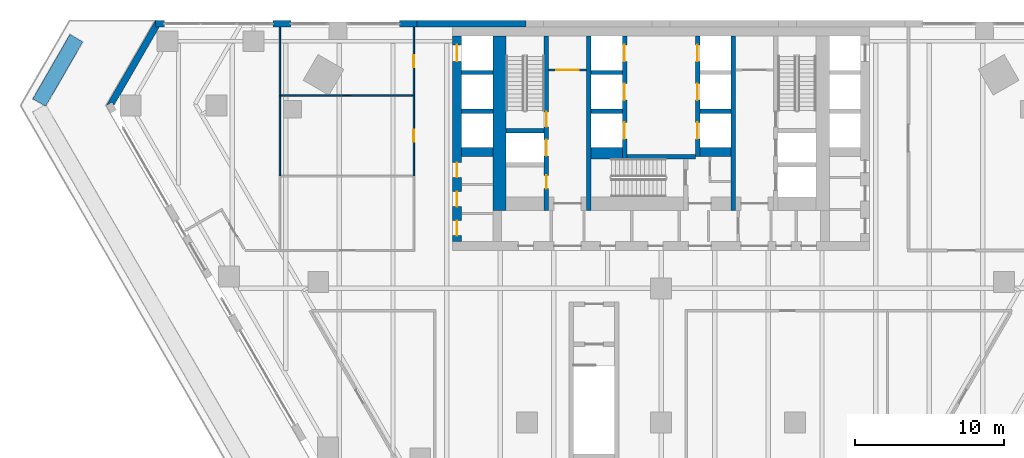
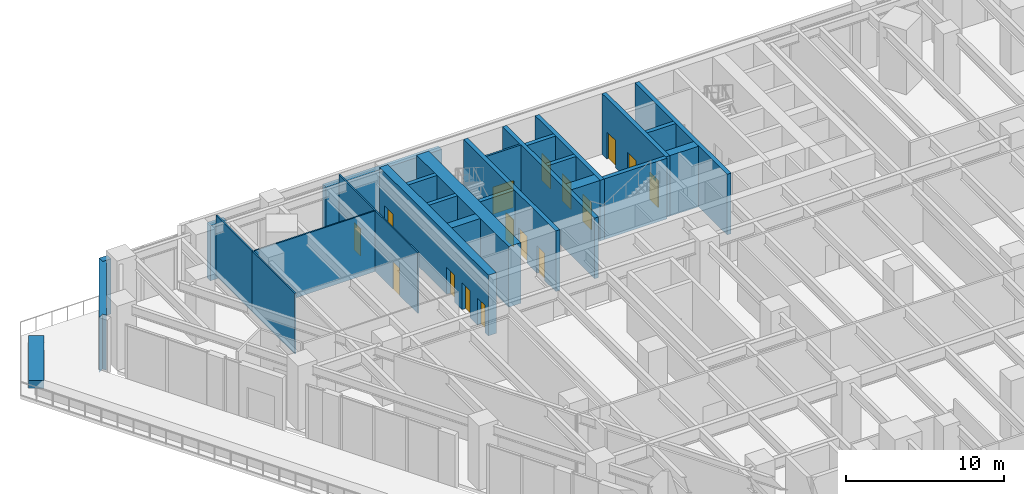
# One storey, part 25 of 31: 29 walls, 16 doors, 16 openings.
"""IFC4 building model written with IfcOpenShell, lengths in metres."""

from ifc_helpers import new_model, si_unit, direction, frame, frame_2d, origin, place, context, subcontext, project, spatial, polyline, rectangle, outline, extrude, material, layer, layer_set, type_object, element, fill, save


model = new_model("IFC4")

# Units and contexts
model_context = context("Model", 3, precision=1e-05, world=origin(), true_north=direction((0.0, 1.0)))
body_context = subcontext(model_context, "Body", "Model", "MODEL_VIEW")
ifc_project = project(units=[si_unit("LENGTHUNIT", "METRE"), si_unit("AREAUNIT", "SQUARE_METRE"), si_unit("VOLUMEUNIT", "CUBIC_METRE"), si_unit("PLANEANGLEUNIT", "RADIAN"), si_unit("MASSUNIT", "GRAM", prefix="KILO")], contexts=[model_context])

# Site, building, storey
site_placement = place(None, origin())
site = spatial("IfcSite", under=ifc_project, at=site_placement, CompositionType="ELEMENT")
building_placement = place(site_placement, origin())
building = spatial("IfcBuilding", under=site, at=building_placement, Name="Aloe Facet Convention Tower", CompositionType="ELEMENT")
storey_placement = place(building_placement, frame((0.0, 0.0, 25.0)))
storey = spatial("IfcBuildingStorey", under=building, at=storey_placement, Name="L04", CompositionType="ELEMENT", Elevation=25.0)

# Wall, opening, door
ifc_material_1 = material(Name="Concrete blockwork partition", Category="masonry")
ifc_layer_1 = layer(ifc_material_1, 0.14990234375)
ifc_layer_set_1 = layer_set([ifc_layer_1], Name="CR-W-PART150")
wall_type_1 = type_object("IfcWallType", Name="CR-W-PART150", PredefinedType="PARTITIONING", material=ifc_layer_set_1)
wall_1_placement = place(storey_placement, frame((72.449951171875, 131.675048828125, 0.0), z_axis=(0.0, 0.0, 1.0), x_axis=(1.0, 0.0, 0.0)))
wall_1 = element("IfcWall", 1, at=wall_1_placement, inside=storey, type_object=wall_type_1, Name="Core partition L04-015", PredefinedType="PARTITIONING", context=body_context, shape_type="SweptSolid", body=[
    extrude(rectangle(XDim=2.550048828125, YDim=0.14990234375, at=frame_2d((1.27490234375, 0.0))), origin(), (0.0, 0.0, 1.0), 4.699951171875),
])
opening_1_placement = place(wall_1_placement, frame((0.52490234375, 0.0, 0.0)))
opening_1 = element("IfcOpeningElement", 2, at=opening_1_placement, cuts=wall_1, Name="Opening L04-CD22", PredefinedType="OPENING", context=body_context, shape_type="SweptSolid", body=[
    extrude(rectangle(XDim=1.5, YDim=2.10009765625, at=frame_2d((0.75, 1.050048828125))), frame((0.0, 0.0849609375, 0.0), z_axis=(0.0, -1.0, 0.0), x_axis=(1.0, 0.0, 0.0)), (0.0, 0.0, 1.0), 0.169921875),
])
ifc_material_2 = material(Name="Steel fire-resisting door set FD60", Category="steel")
door_type_1 = type_object("IfcDoorType", Name="CR-D-REFUGE-1500-FD60-DD", OperationType="DOUBLE_DOOR_DOUBLE_SWING", PredefinedType="DOOR", material=ifc_material_2)
door_1_placement = place(opening_1_placement, origin())
door_1 = element("IfcDoor", 3, at=door_1_placement, inside=storey, type_object=door_type_1, Name="Core door L04-CD22", OperationType="DOUBLE_DOOR_DOUBLE_SWING", OverallHeight=2.10009765625, OverallWidth=1.5, PredefinedType="DOOR", context=body_context, shape_type="SweptSolid", body=[
    extrude(rectangle(XDim=1.5, YDim=2.10009765625, at=frame_2d((0.75, 1.050048828125))), frame((0.0, 0.02490234375, 0.0), z_axis=(0.0, -1.0, 0.0), x_axis=(1.0, 0.0, 0.0)), (0.0, 0.0, 1.0), 0.050048828125),
])
fill(opening_1, door_1)

# Walls
ifc_material_3 = material(Name="Concrete C80/95", Category="concrete")
ifc_layer_2 = layer(ifc_material_3, 0.300048828125)
ifc_layer_set_2 = layer_set([ifc_layer_2], Name="CR-W-RC300-C8095")
wall_type_2 = type_object("IfcWallType", Name="CR-W-RC300-C8095", PredefinedType="SOLIDWALL", material=ifc_layer_set_2)
for number, where, z_axis, x_axis, name in (
    (4, (66.60009765625, 131.5, 0.0), (0.0, 0.0, 1.0), (1.0, 0.0, 0.0), "Core wall L04-004"),
    (5, (66.60009765625, 128.89990234375, 0.0), (0.0, 0.0, 1.0), (1.0, 0.0, 0.0), "Core wall L04-005"),
):
    element("IfcWall", number, at=place(storey_placement, frame(where, z_axis=z_axis, x_axis=x_axis)), inside=storey, type_object=wall_type_2, Name=name, PredefinedType="SOLIDWALL", context=body_context, shape_type="SweptSolid", body=[
        extrude(rectangle(XDim=2.099853515625, YDim=0.300048828125, at=frame_2d((1.0498046875, 0.0))), origin(), (0.0, 0.0, 1.0), 4.699951171875),
    ])
wall_2_placement = place(storey_placement, frame((69.60009765625, 127.60009765625, 0.0), z_axis=(0.0, 0.0, 1.0), x_axis=(1.0, 0.0, 0.0)))
element("IfcWall", 6, at=wall_2_placement, inside=storey, type_object=wall_type_2, Name="Core wall L04-011", PredefinedType="SOLIDWALL", context=body_context, shape_type="SweptSolid", body=[
    extrude(rectangle(XDim=2.5498046875, YDim=0.300048828125, at=frame_2d((1.27490234375, 0.0))), origin(), (0.0, 0.0, 1.0), 4.699951171875),
])

# Wall, openings, doors
wall_3_placement = place(storey_placement, frame((72.300048828125, 133.949951171875, 0.0), z_axis=(0.0, 0.0, 1.0), x_axis=(0.0, -1.0, 0.0)))
wall_3 = element("IfcWall", 7, at=wall_3_placement, inside=storey, type_object=wall_type_2, Name="Core wall L04-014", PredefinedType="SOLIDWALL", context=body_context, shape_type="SweptSolid", body=[
    extrude(rectangle(XDim=11.699951171875, YDim=0.300048828125, at=frame_2d((5.85009765625, 0.0))), origin(), (0.0, 0.0, 1.0), 4.699951171875),
])
opening_2_placement = place(wall_3_placement, frame((6.949951171875, 0.0, 0.0)))
opening_2 = element("IfcOpeningElement", 8, at=opening_2_placement, cuts=wall_3, Name="Opening LD-FF1-L04", PredefinedType="OPENING", context=body_context, shape_type="SweptSolid", body=[
    extrude(rectangle(XDim=1.10009765625, YDim=2.10009765625, at=frame_2d((0.550048828125, 1.050048828125))), frame((0.0, 0.16015625, 0.0), z_axis=(0.0, -1.0, 0.0), x_axis=(1.0, 0.0, 0.0)), (0.0, 0.0, 1.0), 0.320068359375),
])
opening_3_placement = place(wall_3_placement, frame((9.35009765625, 0.0, 0.0)))
opening_3 = element("IfcOpeningElement", 9, at=opening_3_placement, cuts=wall_3, Name="Opening L04-CD23", PredefinedType="OPENING", context=body_context, shape_type="SweptSolid", body=[
    extrude(rectangle(XDim=0.89990234375, YDim=2.10009765625, at=frame_2d((0.449951171875, 1.050048828125))), frame((0.0, 0.16015625, 0.0), z_axis=(0.0, -1.0, 0.0), x_axis=(1.0, 0.0, 0.0)), (0.0, 0.0, 1.0), 0.320068359375),
])
opening_4_placement = place(wall_3_placement, frame((5.10009765625, 0.0, 0.0)))
opening_4 = element("IfcOpeningElement", 10, at=opening_4_placement, cuts=wall_3, Name="Opening L04-CD30", PredefinedType="OPENING", context=body_context, shape_type="SweptSolid", body=[
    extrude(rectangle(XDim=1.0, YDim=2.10009765625, at=frame_2d((0.5, 1.050048828125))), frame((0.0, 0.16015625, 0.0), z_axis=(0.0, -1.0, 0.0), x_axis=(1.0, 0.0, 0.0)), (0.0, 0.0, 1.0), 0.320068359375),
])
ifc_material_4 = material(Name="Steel fire-resisting door set FD60", Category="steel")
door_type_2 = type_object("IfcDoorType", Name="CR-D-ROOM-900-FD60-SLEFT", OperationType="SINGLE_SWING_LEFT", PredefinedType="DOOR", material=ifc_material_4)
door_2_placement = place(opening_3_placement, origin())
door_2 = element("IfcDoor", 11, at=door_2_placement, inside=storey, type_object=door_type_2, Name="Core door L04-CD23", OperationType="SINGLE_SWING_LEFT", OverallHeight=2.10009765625, OverallWidth=0.89990234375, PredefinedType="DOOR", context=body_context, shape_type="SweptSolid", body=[
    extrude(rectangle(XDim=0.89990234375, YDim=2.10009765625, at=frame_2d((0.449951171875, 1.050048828125))), frame((0.0, 0.02490234375, 0.0), z_axis=(0.0, -1.0, 0.0), x_axis=(1.0, 0.0, 0.0)), (0.0, 0.0, 1.0), 0.050048828125),
])
fill(opening_3, door_2)
ifc_material_5 = material(Name="Steel fire-resisting door set FD120", Category="steel")
door_type_3 = type_object("IfcDoorType", Name="CR-D-STAIR-1000-FD120-SRIGHT", OperationType="SINGLE_SWING_RIGHT", PredefinedType="DOOR", material=ifc_material_5)
door_3_placement = place(opening_4_placement, origin())
door_3 = element("IfcDoor", 12, at=door_3_placement, inside=storey, type_object=door_type_3, Name="Core door L04-CD30", OperationType="SINGLE_SWING_RIGHT", OverallHeight=2.10009765625, OverallWidth=1.0, PredefinedType="DOOR", context=body_context, shape_type="SweptSolid", body=[
    extrude(rectangle(XDim=1.0, YDim=2.10009765625, at=frame_2d((0.5, 1.050048828125))), frame((0.0, 0.02490234375, 0.0), z_axis=(0.0, -1.0, 0.0), x_axis=(1.0, 0.0, 0.0)), (0.0, 0.0, 1.0), 0.050048828125),
])
fill(opening_4, door_3)
ifc_material_6 = material(Name="Stainless steel sliding landing door", Category="steel")
door_type_4 = type_object("IfcDoorType", Name="CR-LD-1100-FD120-_LEFT", OperationType="SLIDING_TO_LEFT", PredefinedType="DOOR", material=ifc_material_6)
door_4_placement = place(opening_2_placement, origin())
door_4 = element("IfcDoor", 13, at=door_4_placement, inside=storey, type_object=door_type_4, Name="Landing door FF1 L04", OperationType="SLIDING_TO_LEFT", OverallHeight=2.10009765625, OverallWidth=1.10009765625, PredefinedType="DOOR", context=body_context, shape_type="SweptSolid", body=[
    extrude(rectangle(XDim=1.10009765625, YDim=2.10009765625, at=frame_2d((0.550048828125, 1.050048828125))), frame((0.0, 0.02490234375, 0.0), z_axis=(0.0, -1.0, 0.0), x_axis=(1.0, 0.0, 0.0)), (0.0, 0.0, 1.0), 0.050048828125),
])
fill(opening_2, door_4)

# Walls
wall_4_placement = place(storey_placement, frame((75.14990234375, 133.949951171875, 0.0), z_axis=(0.0, 0.0, 1.0), x_axis=(0.0, -1.0, 0.0)))
element("IfcWall", 14, at=wall_4_placement, inside=storey, type_object=wall_type_2, Name="Core wall L04-019", PredefinedType="SOLIDWALL", context=body_context, shape_type="SweptSolid", body=[
    extrude(rectangle(XDim=11.699951171875, YDim=0.300048828125, at=frame_2d((5.85009765625, 0.0))), origin(), (0.0, 0.0, 1.0), 4.699951171875),
])
for number, where, z_axis, x_axis, name in (
    (15, (75.300048828125, 131.5, 0.0), (0.0, 0.0, 1.0), (1.0, 0.0, 0.0), "Core wall L04-020"),
    (16, (75.300048828125, 128.89990234375, 0.0), (0.0, 0.0, 1.0), (1.0, 0.0, 0.0), "Core wall L04-021"),
):
    element("IfcWall", number, at=place(storey_placement, frame(where, z_axis=z_axis, x_axis=x_axis)), inside=storey, type_object=wall_type_2, Name=name, PredefinedType="SOLIDWALL", context=body_context, shape_type="SweptSolid", body=[
        extrude(rectangle(XDim=2.099853515625, YDim=0.300048828125, at=frame_2d((1.0498046875, 0.0))), origin(), (0.0, 0.0, 1.0), 4.699951171875),
    ])

# Wall, openings, doors
wall_5_placement = place(storey_placement, frame((77.550048828125, 133.949951171875, 0.0), z_axis=(0.0, 0.0, 1.0), x_axis=(0.0, -1.0, 0.0)))
wall_5 = element("IfcWall", 17, at=wall_5_placement, inside=storey, type_object=wall_type_2, Name="Core wall L04-024", PredefinedType="SOLIDWALL", context=body_context, shape_type="SweptSolid", body=[
    extrude(rectangle(XDim=8.25, YDim=0.300048828125, at=frame_2d((4.125, 0.0))), origin(), (0.0, 0.0, 1.0), 4.699951171875),
])
opening_5_placement = place(wall_5_placement, frame((0.60009765625, 0.0, 0.0)))
opening_5 = element("IfcOpeningElement", 18, at=opening_5_placement, cuts=wall_5, Name="Opening LD-A1-L04", PredefinedType="OPENING", context=body_context, shape_type="SweptSolid", body=[
    extrude(rectangle(XDim=1.10009765625, YDim=2.10009765625, at=frame_2d((0.550048828125, 1.050048828125))), frame((0.0, 0.16015625, 0.0), z_axis=(0.0, -1.0, 0.0), x_axis=(1.0, 0.0, 0.0)), (0.0, 0.0, 1.0), 0.320068359375),
])
opening_6_placement = place(wall_5_placement, frame((3.199951171875, 0.0, 0.0)))
opening_6 = element("IfcOpeningElement", 19, at=opening_6_placement, cuts=wall_5, Name="Opening LD-A2-L04", PredefinedType="OPENING", context=body_context, shape_type="SweptSolid", body=[
    extrude(rectangle(XDim=1.10009765625, YDim=2.10009765625, at=frame_2d((0.550048828125, 1.050048828125))), frame((0.0, 0.16015625, 0.0), z_axis=(0.0, -1.0, 0.0), x_axis=(1.0, 0.0, 0.0)), (0.0, 0.0, 1.0), 0.320068359375),
])
opening_7_placement = place(wall_5_placement, frame((5.800048828125, 0.0, 0.0)))
opening_7 = element("IfcOpeningElement", 20, at=opening_7_placement, cuts=wall_5, Name="Opening LD-A3-L04", PredefinedType="OPENING", context=body_context, shape_type="SweptSolid", body=[
    extrude(rectangle(XDim=1.10009765625, YDim=2.10009765625, at=frame_2d((0.550048828125, 1.050048828125))), frame((0.0, 0.16015625, 0.0), z_axis=(0.0, -1.0, 0.0), x_axis=(1.0, 0.0, 0.0)), (0.0, 0.0, 1.0), 0.320068359375),
])
ifc_material_7 = material(Name="Stainless steel sliding landing door", Category="steel")
door_type_5 = type_object("IfcDoorType", Name="CR-LD-1100-FD60-RIGHT", OperationType="SLIDING_TO_RIGHT", PredefinedType="DOOR", material=ifc_material_7)
door_5_placement = place(opening_5_placement, origin())
door_5 = element("IfcDoor", 21, at=door_5_placement, inside=storey, type_object=door_type_5, Name="Landing door A1 L04", OperationType="SLIDING_TO_RIGHT", OverallHeight=2.10009765625, OverallWidth=1.10009765625, PredefinedType="DOOR", context=body_context, shape_type="SweptSolid", body=[
    extrude(rectangle(XDim=1.10009765625, YDim=2.10009765625, at=frame_2d((0.550048828125, 1.050048828125))), frame((0.0, 0.02490234375, 0.0), z_axis=(0.0, -1.0, 0.0), x_axis=(1.0, 0.0, 0.0)), (0.0, 0.0, 1.0), 0.050048828125),
])
fill(opening_5, door_5)
door_6_placement = place(opening_6_placement, origin())
door_6 = element("IfcDoor", 22, at=door_6_placement, inside=storey, type_object=door_type_5, Name="Landing door A2 L04", OperationType="SLIDING_TO_RIGHT", OverallHeight=2.10009765625, OverallWidth=1.10009765625, PredefinedType="DOOR", context=body_context, shape_type="SweptSolid", body=[
    extrude(rectangle(XDim=1.10009765625, YDim=2.10009765625, at=frame_2d((0.550048828125, 1.050048828125))), frame((0.0, 0.02490234375, 0.0), z_axis=(0.0, -1.0, 0.0), x_axis=(1.0, 0.0, 0.0)), (0.0, 0.0, 1.0), 0.050048828125),
])
fill(opening_6, door_6)
door_7_placement = place(opening_7_placement, origin())
door_7 = element("IfcDoor", 23, at=door_7_placement, inside=storey, type_object=door_type_5, Name="Landing door A3 L04", OperationType="SLIDING_TO_RIGHT", OverallHeight=2.10009765625, OverallWidth=1.10009765625, PredefinedType="DOOR", context=body_context, shape_type="SweptSolid", body=[
    extrude(rectangle(XDim=1.10009765625, YDim=2.10009765625, at=frame_2d((0.550048828125, 1.050048828125))), frame((0.0, 0.02490234375, 0.0), z_axis=(0.0, -1.0, 0.0), x_axis=(1.0, 0.0, 0.0)), (0.0, 0.0, 1.0), 0.050048828125),
])
fill(opening_7, door_7)

# Wall
wall_6_placement = place(storey_placement, frame((77.699951171875, 125.85009765625, 0.0), z_axis=(0.0, 0.0, 1.0), x_axis=(1.0, 0.0, 0.0)))
element("IfcWall", 24, at=wall_6_placement, inside=storey, type_object=wall_type_2, Name="Core wall L04-025", PredefinedType="SOLIDWALL", context=body_context, shape_type="SweptSolid", body=[
    extrude(rectangle(XDim=4.60009765625, YDim=0.300048828125, at=frame_2d((2.300048828125, 0.0))), origin(), (0.0, 0.0, 1.0), 4.699951171875),
])

# Wall, openings, doors
wall_7_placement = place(storey_placement, frame((82.449951171875, 133.949951171875, 0.0), z_axis=(0.0, 0.0, 1.0), x_axis=(0.0, -1.0, 0.0)))
wall_7 = element("IfcWall", 25, at=wall_7_placement, inside=storey, type_object=wall_type_2, Name="Core wall L04-030", PredefinedType="SOLIDWALL", context=body_context, shape_type="SweptSolid", body=[
    extrude(rectangle(XDim=8.099853515625, YDim=0.300048828125, at=frame_2d((4.0498046875, 0.0))), origin(), (0.0, 0.0, 1.0), 4.699951171875),
])
opening_8_placement = place(wall_7_placement, frame((0.60009765625, 0.0, 0.0)))
opening_8 = element("IfcOpeningElement", 26, at=opening_8_placement, cuts=wall_7, Name="Opening LD-A4-L04", PredefinedType="OPENING", context=body_context, shape_type="SweptSolid", body=[
    extrude(rectangle(XDim=1.10009765625, YDim=2.10009765625, at=frame_2d((0.550048828125, 1.050048828125))), frame((0.0, 0.16015625, 0.0), z_axis=(0.0, -1.0, 0.0), x_axis=(1.0, 0.0, 0.0)), (0.0, 0.0, 1.0), 0.320068359375),
])
opening_9_placement = place(wall_7_placement, frame((3.199951171875, 0.0, 0.0)))
opening_9 = element("IfcOpeningElement", 27, at=opening_9_placement, cuts=wall_7, Name="Opening LD-A5-L04", PredefinedType="OPENING", context=body_context, shape_type="SweptSolid", body=[
    extrude(rectangle(XDim=1.10009765625, YDim=2.10009765625, at=frame_2d((0.550048828125, 1.050048828125))), frame((0.0, 0.16015625, 0.0), z_axis=(0.0, -1.0, 0.0), x_axis=(1.0, 0.0, 0.0)), (0.0, 0.0, 1.0), 0.320068359375),
])
opening_10_placement = place(wall_7_placement, frame((5.800048828125, 0.0, 0.0)))
opening_10 = element("IfcOpeningElement", 28, at=opening_10_placement, cuts=wall_7, Name="Opening LD-A6-L04", PredefinedType="OPENING", context=body_context, shape_type="SweptSolid", body=[
    extrude(rectangle(XDim=1.10009765625, YDim=2.10009765625, at=frame_2d((0.550048828125, 1.050048828125))), frame((0.0, 0.16015625, 0.0), z_axis=(0.0, -1.0, 0.0), x_axis=(1.0, 0.0, 0.0)), (0.0, 0.0, 1.0), 0.320068359375),
])
ifc_material_8 = material(Name="Stainless steel sliding landing door", Category="steel")
door_type_6 = type_object("IfcDoorType", Name="CR-LD-1100-FD60-_LEFT", OperationType="SLIDING_TO_LEFT", PredefinedType="DOOR", material=ifc_material_8)
door_8_placement = place(opening_8_placement, origin())
door_8 = element("IfcDoor", 29, at=door_8_placement, inside=storey, type_object=door_type_6, Name="Landing door A4 L04", OperationType="SLIDING_TO_LEFT", OverallHeight=2.10009765625, OverallWidth=1.10009765625, PredefinedType="DOOR", context=body_context, shape_type="SweptSolid", body=[
    extrude(rectangle(XDim=1.10009765625, YDim=2.10009765625, at=frame_2d((0.550048828125, 1.050048828125))), frame((0.0, 0.02490234375, 0.0), z_axis=(0.0, -1.0, 0.0), x_axis=(1.0, 0.0, 0.0)), (0.0, 0.0, 1.0), 0.050048828125),
])
fill(opening_8, door_8)
door_9_placement = place(opening_9_placement, origin())
door_9 = element("IfcDoor", 30, at=door_9_placement, inside=storey, type_object=door_type_6, Name="Landing door A5 L04", OperationType="SLIDING_TO_LEFT", OverallHeight=2.10009765625, OverallWidth=1.10009765625, PredefinedType="DOOR", context=body_context, shape_type="SweptSolid", body=[
    extrude(rectangle(XDim=1.10009765625, YDim=2.10009765625, at=frame_2d((0.550048828125, 1.050048828125))), frame((0.0, 0.02490234375, 0.0), z_axis=(0.0, -1.0, 0.0), x_axis=(1.0, 0.0, 0.0)), (0.0, 0.0, 1.0), 0.050048828125),
])
fill(opening_9, door_9)
door_10_placement = place(opening_10_placement, origin())
door_10 = element("IfcDoor", 31, at=door_10_placement, inside=storey, type_object=door_type_6, Name="Landing door A6 L04", OperationType="SLIDING_TO_LEFT", OverallHeight=2.10009765625, OverallWidth=1.10009765625, PredefinedType="DOOR", context=body_context, shape_type="SweptSolid", body=[
    extrude(rectangle(XDim=1.10009765625, YDim=2.10009765625, at=frame_2d((0.550048828125, 1.050048828125))), frame((0.0, 0.02490234375, 0.0), z_axis=(0.0, -1.0, 0.0), x_axis=(1.0, 0.0, 0.0)), (0.0, 0.0, 1.0), 0.050048828125),
])
fill(opening_10, door_10)

# Walls
wall_8_placement = place(storey_placement, frame((82.60009765625, 128.89990234375, 0.0), z_axis=(0.0, 0.0, 1.0), x_axis=(1.0, 0.0, 0.0)))
element("IfcWall", 32, at=wall_8_placement, inside=storey, type_object=wall_type_2, Name="Core wall L04-032", PredefinedType="SOLIDWALL", context=body_context, shape_type="SweptSolid", body=[
    extrude(rectangle(XDim=2.099853515625, YDim=0.300048828125, at=frame_2d((1.0498046875, 0.0))), origin(), (0.0, 0.0, 1.0), 4.699951171875),
])
wall_9_placement = place(storey_placement, frame((84.85009765625, 133.949951171875, 0.0), z_axis=(0.0, 0.0, 1.0), x_axis=(0.0, -1.0, 0.0)))
element("IfcWall", 33, at=wall_9_placement, inside=storey, type_object=wall_type_2, Name="Core wall L04-037", PredefinedType="SOLIDWALL", context=body_context, shape_type="SweptSolid", body=[
    extrude(rectangle(XDim=11.699951171875, YDim=0.300048828125, at=frame_2d((5.85009765625, 0.0))), origin(), (0.0, 0.0, 1.0), 4.699951171875),
])

# Wall, openings, doors
ifc_material_9 = material(Name="Concrete C80/95", Category="concrete")
ifc_layer_3 = layer(ifc_material_9, 0.60009765625)
ifc_layer_set_3 = layer_set([ifc_layer_3], Name="CR-W-RC600-C8095")
wall_type_3 = type_object("IfcWallType", Name="CR-W-RC600-C8095", PredefinedType="SOLIDWALL", material=ifc_layer_set_3)
wall_10_placement = place(storey_placement, frame((66.300048828125, 133.949951171875, 0.0), z_axis=(0.0, 0.0, 1.0), x_axis=(0.0, -1.0, 0.0)))
wall_10 = element("IfcWall", 34, at=wall_10_placement, inside=storey, type_object=wall_type_3, Name="Core wall L04-002", PredefinedType="SOLIDWALL", context=body_context, shape_type="SweptSolid", body=[
    extrude(rectangle(XDim=13.800048828125, YDim=0.60009765625, at=frame_2d((6.89990234375, 0.0))), origin(), (0.0, 0.0, 1.0), 4.699951171875),
])
opening_11_placement = place(wall_10_placement, frame((0.60009765625, 0.0, 0.0)))
opening_11 = element("IfcOpeningElement", 35, at=opening_11_placement, cuts=wall_10, Name="Opening LD-A7-L04", PredefinedType="OPENING", context=body_context, shape_type="SweptSolid", body=[
    extrude(rectangle(XDim=1.10009765625, YDim=2.10009765625, at=frame_2d((0.550048828125, 1.050048828125))), frame((0.0, 0.31005859375, 0.0), z_axis=(0.0, -1.0, 0.0), x_axis=(1.0, 0.0, 0.0)), (0.0, 0.0, 1.0), 0.6201171875),
])
opening_12_placement = place(wall_10_placement, frame((12.39990234375, 0.0, 0.0)))
opening_12 = element("IfcOpeningElement", 36, at=opening_12_placement, cuts=wall_10, Name="Opening L04-CD34", PredefinedType="OPENING", context=body_context, shape_type="SweptSolid", body=[
    extrude(rectangle(XDim=1.0, YDim=2.10009765625, at=frame_2d((0.5, 1.050048828125))), frame((0.0, 0.31005859375, 0.0), z_axis=(0.0, -1.0, 0.0), x_axis=(1.0, 0.0, 0.0)), (0.0, 0.0, 1.0), 0.6201171875),
])
opening_13_placement = place(wall_10_placement, frame((8.5, 0.0, 0.0)))
opening_13 = element("IfcOpeningElement", 37, at=opening_13_placement, cuts=wall_10, Name="Opening L04-CD35", PredefinedType="OPENING", context=body_context, shape_type="SweptSolid", body=[
    extrude(rectangle(XDim=1.0, YDim=2.10009765625, at=frame_2d((0.5, 1.050048828125))), frame((0.0, 0.31005859375, 0.0), z_axis=(0.0, -1.0, 0.0), x_axis=(1.0, 0.0, 0.0)), (0.0, 0.0, 1.0), 0.6201171875),
])
opening_14_placement = place(wall_10_placement, frame((10.449951171875, 0.0, 0.0)))
opening_14 = element("IfcOpeningElement", 38, at=opening_14_placement, cuts=wall_10, Name="Opening L04-CD36", PredefinedType="OPENING", context=body_context, shape_type="SweptSolid", body=[
    extrude(rectangle(XDim=1.0, YDim=2.10009765625, at=frame_2d((0.5, 1.050048828125))), frame((0.0, 0.31005859375, 0.0), z_axis=(0.0, -1.0, 0.0), x_axis=(1.0, 0.0, 0.0)), (0.0, 0.0, 1.0), 0.6201171875),
])
ifc_material_10 = material(Name="Steel fire-resisting door set FD60", Category="steel")
door_type_7 = type_object("IfcDoorType", Name="CR-D-ROOM-1000-FD60-SLEFT", OperationType="SINGLE_SWING_LEFT", PredefinedType="DOOR", material=ifc_material_10)
door_11_placement = place(opening_12_placement, origin())
door_11 = element("IfcDoor", 39, at=door_11_placement, inside=storey, type_object=door_type_7, Name="Core door L04-CD34", OperationType="SINGLE_SWING_LEFT", OverallHeight=2.10009765625, OverallWidth=1.0, PredefinedType="DOOR", context=body_context, shape_type="SweptSolid", body=[
    extrude(rectangle(XDim=1.0, YDim=2.10009765625, at=frame_2d((0.5, 1.050048828125))), frame((0.0, 0.02490234375, 0.0), z_axis=(0.0, -1.0, 0.0), x_axis=(1.0, 0.0, 0.0)), (0.0, 0.0, 1.0), 0.050048828125),
])
fill(opening_12, door_11)
door_12_placement = place(opening_13_placement, origin())
door_12 = element("IfcDoor", 40, at=door_12_placement, inside=storey, type_object=door_type_7, Name="Core door L04-CD35", OperationType="SINGLE_SWING_LEFT", OverallHeight=2.10009765625, OverallWidth=1.0, PredefinedType="DOOR", context=body_context, shape_type="SweptSolid", body=[
    extrude(rectangle(XDim=1.0, YDim=2.10009765625, at=frame_2d((0.5, 1.050048828125))), frame((0.0, 0.02490234375, 0.0), z_axis=(0.0, -1.0, 0.0), x_axis=(1.0, 0.0, 0.0)), (0.0, 0.0, 1.0), 0.050048828125),
])
fill(opening_13, door_12)
door_13_placement = place(opening_14_placement, origin())
door_13 = element("IfcDoor", 41, at=door_13_placement, inside=storey, type_object=door_type_7, Name="Core door L04-CD36", OperationType="SINGLE_SWING_LEFT", OverallHeight=2.10009765625, OverallWidth=1.0, PredefinedType="DOOR", context=body_context, shape_type="SweptSolid", body=[
    extrude(rectangle(XDim=1.0, YDim=2.10009765625, at=frame_2d((0.5, 1.050048828125))), frame((0.0, 0.02490234375, 0.0), z_axis=(0.0, -1.0, 0.0), x_axis=(1.0, 0.0, 0.0)), (0.0, 0.0, 1.0), 0.050048828125),
])
fill(opening_14, door_13)
door_14_placement = place(opening_11_placement, origin())
door_14 = element("IfcDoor", 42, at=door_14_placement, inside=storey, type_object=door_type_6, Name="Landing door A7 L04", OperationType="SLIDING_TO_LEFT", OverallHeight=2.10009765625, OverallWidth=1.10009765625, PredefinedType="DOOR", context=body_context, shape_type="SweptSolid", body=[
    extrude(rectangle(XDim=1.10009765625, YDim=2.10009765625, at=frame_2d((0.550048828125, 1.050048828125))), frame((0.0, 0.02490234375, 0.0), z_axis=(0.0, -1.0, 0.0), x_axis=(1.0, 0.0, 0.0)), (0.0, 0.0, 1.0), 0.050048828125),
])
fill(opening_11, door_14)

# Walls
for number, where, z_axis, x_axis, name in (
    (43, (66.60009765625, 126.14990234375, 0.0), (0.0, 0.0, 1.0), (1.0, 0.0, 0.0), "Core wall L04-006"),
    (44, (82.60009765625, 126.14990234375, 0.0), (0.0, 0.0, 1.0), (1.0, 0.0, 0.0), "Core wall L04-033"),
):
    element("IfcWall", number, at=place(storey_placement, frame(where, z_axis=z_axis, x_axis=x_axis)), inside=storey, type_object=wall_type_3, Name=name, PredefinedType="SOLIDWALL", context=body_context, shape_type="SweptSolid", body=[
        extrude(rectangle(XDim=2.099853515625, YDim=0.60009765625, at=frame_2d((1.0498046875, 0.0))), origin(), (0.0, 0.0, 1.0), 4.699951171875),
    ])
ifc_material_11 = material(Name="Concrete C80/95", Category="concrete")
ifc_layer_4 = layer(ifc_material_11, 0.75)
ifc_layer_set_4 = layer_set([ifc_layer_4], Name="CR-W-RC750-C8095")
wall_type_4 = type_object("IfcWallType", Name="CR-W-RC750-C8095", PredefinedType="SOLIDWALL", material=ifc_layer_set_4)
wall_11_placement = place(storey_placement, frame((75.300048828125, 126.074951171875, 0.0), z_axis=(0.0, 0.0, 1.0), x_axis=(1.0, 0.0, 0.0)))
element("IfcWall", 45, at=wall_11_placement, inside=storey, type_object=wall_type_4, Name="Core wall L04-022", PredefinedType="SOLIDWALL", context=body_context, shape_type="SweptSolid", body=[
    extrude(rectangle(XDim=2.099853515625, YDim=0.75, at=frame_2d((1.0498046875, 0.0))), origin(), (0.0, 0.0, 1.0), 4.699951171875),
])
ifc_material_12 = material(Name="Concrete C80/95", Category="concrete")
ifc_layer_5 = layer(ifc_material_12, 0.89990234375)
ifc_layer_set_5 = layer_set([ifc_layer_5], Name="CR-W-RC900-C8095")
wall_type_5 = type_object("IfcWallType", Name="CR-W-RC900-C8095", PredefinedType="SOLIDWALL", material=ifc_layer_set_5)
wall_12_placement = place(storey_placement, frame((69.14990234375, 133.949951171875, 0.0), z_axis=(0.0, 0.0, 1.0), x_axis=(0.0, -1.0, 0.0)))
element("IfcWall", 46, at=wall_12_placement, inside=storey, type_object=wall_type_5, Name="Core wall L04-009", PredefinedType="SOLIDWALL", context=body_context, shape_type="SweptSolid", body=[
    extrude(rectangle(XDim=11.699951171875, YDim=0.89990234375, at=frame_2d((5.85009765625, 0.0))), origin(), (0.0, 0.0, 1.0), 4.699951171875),
])
ifc_material_13 = material(Name="Precast concrete C40/50", Category="concrete")
ifc_layer_6 = layer(ifc_material_13, 1.0)
ifc_layer_set_6 = layer_set([ifc_layer_6], Name="EV-PLANTER-BED")
wall_type_6 = type_object("IfcWallType", Name="EV-PLANTER-BED", PredefinedType="STANDARD", material=ifc_layer_set_6)
wall_13_placement = place(storey_placement, frame((38.24560546875, 129.47705078125, 0.0), z_axis=(0.0, 0.0, 1.0), x_axis=(0.500004234368, 0.866022959057, 0.0)))
element("IfcWall", 47, at=wall_13_placement, inside=storey, type_object=wall_type_6, Name="PLANTER PT-L04-1-5", PredefinedType="STANDARD", context=body_context, shape_type="SweptSolid", body=[
    extrude(rectangle(XDim=5.0, YDim=1.0, at=frame_2d((2.5, 0.0))), origin(), (0.0, 0.0, 1.0), 0.60009765625),
])
ifc_material_14 = material(Name="Precast concrete C40/50", Category="concrete")
ifc_layer_7 = layer(ifc_material_14, 0.449951171875)
ifc_layer_set_7 = layer_set([ifc_layer_7], Name="EV-WALL-PIER")
wall_type_7 = type_object("IfcWallType", Name="EV-WALL-PIER", PredefinedType="SOLIDWALL", material=ifc_layer_set_7)
wall_14_placement = place(storey_placement, frame((0.0, 0.0, -0.25)))
element("IfcWall", 48, at=wall_14_placement, inside=storey, type_object=wall_type_7, Name="EP-L04-A", PredefinedType="SOLIDWALL", context=body_context, shape_type="SweptSolid", body=[
    extrude(outline(polyline([(46.052978515625, 135.0), (46.052978515625, 134.550048828125), (46.312744140625, 134.550048828125), (43.272705078125, 129.2841796875), (43.142822265625, 129.50927734375), (42.7529296875, 129.2841796875), (46.052978515625, 135.0)])), origin(), (0.0, 0.0, 1.0), 4.262451171875),
])
ifc_material_15 = material(Name="Precast concrete C40/50", Category="concrete")
ifc_layer_8 = layer(ifc_material_15, 0.449951171875)
ifc_layer_set_8 = layer_set([ifc_layer_8], Name="EV-WALL-STONE")
wall_type_8 = type_object("IfcWallType", Name="EV-WALL-STONE", PredefinedType="SOLIDWALL", material=ifc_layer_set_8)
wall_15_placement = place(storey_placement, frame((70.913330078125, 134.77490234375, -0.25), z_axis=(0.0, 0.0, 1.0), x_axis=(-1.0, 0.0, 0.0)))
element("IfcWall", 49, at=wall_15_placement, inside=storey, type_object=wall_type_8, Name="PW-L04-N12", PredefinedType="SOLIDWALL", context=body_context, shape_type="SweptSolid", body=[
    extrude(rectangle(XDim=7.286865234375, YDim=0.449951171875, at=frame_2d((3.6435546875, 0.0))), origin(), (0.0, 0.0, 1.0), 4.262451171875),
])
for number, where, z_axis, x_axis, name in (
    (50, (63.62646484375, 134.77490234375, -0.25), (0.0, 0.0, 1.0), (-1.0, 0.0, 0.0), "PW-L04-N13"),
    (51, (55.1396484375, 134.77490234375, -0.25), (0.0, 0.0, 1.0), (-1.0, 0.0, 0.0), "PW-L04-N15"),
):
    element("IfcWall", number, at=place(storey_placement, frame(where, z_axis=z_axis, x_axis=x_axis)), inside=storey, type_object=wall_type_8, Name=name, PredefinedType="SOLIDWALL", context=body_context, shape_type="SweptSolid", body=[
        extrude(rectangle(XDim=1.199951171875, YDim=0.449951171875, at=frame_2d((0.60009765625, 0.0))), origin(), (0.0, 0.0, 1.0), 4.262451171875),
    ])
wall_16_placement = place(storey_placement, frame((46.653076171875, 134.77490234375, -0.25), z_axis=(0.0, 0.0, 1.0), x_axis=(-1.0, 0.0, 0.0)))
element("IfcWall", 52, at=wall_16_placement, inside=storey, type_object=wall_type_8, Name="PW-L04-N17", PredefinedType="SOLIDWALL", context=body_context, shape_type="SweptSolid", body=[
    extrude(rectangle(XDim=0.60009765625, YDim=0.449951171875, at=frame_2d((0.300048828125, 0.0))), origin(), (0.0, 0.0, 1.0), 4.262451171875),
])

# Wall, opening, door
ifc_material_16 = material(Name="Gypsum board partition on steel studs, moisture resistant", Category="steel")
ifc_layer_9 = layer(ifc_material_16, 0.10009765625)
ifc_layer_set_9 = layer_set([ifc_layer_9], Name="IN-POD-W-WET")
wall_type_9 = type_object("IfcWallType", Name="IN-POD-W-WET", PredefinedType="PARTITIONING", material=ifc_layer_set_9)
wall_17_placement = place(storey_placement, frame((63.39990234375, 124.5400390625, 0.0), z_axis=(0.0, 0.0, 1.0), x_axis=(0.0, 1.0, 0.0)))
wall_17 = element("IfcWall", 53, at=wall_17_placement, inside=storey, type_object=wall_type_9, Name="Partition L04-W038", PredefinedType="PARTITIONING", context=body_context, shape_type="SweptSolid", body=[
    extrude(rectangle(XDim=5.419921875, YDim=0.10009765625, at=frame_2d((2.7099609375, 0.0))), origin(), (0.0, 0.0, 1.0), 4.699951171875),
])
opening_15_placement = place(wall_17_placement, frame((2.31005859375, 0.0, 0.0)))
opening_15 = element("IfcOpeningElement", 54, at=opening_15_placement, cuts=wall_17, Name="Opening L04-002", PredefinedType="OPENING", context=body_context, shape_type="SweptSolid", body=[
    extrude(rectangle(XDim=0.800048828125, YDim=2.10009765625, at=frame_2d((0.39990234375, 1.050048828125))), frame((0.0, 0.06005859375, 0.0), z_axis=(0.0, -1.0, 0.0), x_axis=(1.0, 0.0, 0.0)), (0.0, 0.0, 1.0), 0.1201171875),
])
ifc_material_17 = material(Name="Timber flush door", Category="wood")
door_type_8 = type_object("IfcDoorType", Name="IN-POD-D-WC", OperationType="SINGLE_SWING_LEFT", PredefinedType="DOOR", material=ifc_material_17)
door_15_placement = place(opening_15_placement, origin())
door_15 = element("IfcDoor", 55, at=door_15_placement, inside=storey, type_object=door_type_8, Name="Door L04-002", OperationType="SINGLE_SWING_LEFT", OverallHeight=2.10009765625, OverallWidth=0.800048828125, PredefinedType="DOOR", context=body_context, shape_type="SweptSolid", body=[
    extrude(rectangle(XDim=0.800048828125, YDim=2.10009765625, at=frame_2d((0.39990234375, 1.050048828125))), frame((0.0, 0.02490234375, 0.0), z_axis=(0.0, -1.0, 0.0), x_axis=(1.0, 0.0, 0.0)), (0.0, 0.0, 1.0), 0.050048828125),
])
fill(opening_15, door_15)

wall_18_placement = place(storey_placement, frame((63.39990234375, 129.9599609375, 0.0), z_axis=(0.0, 0.0, 1.0), x_axis=(0.0, 1.0, 0.0)))
wall_18 = element("IfcWall", 56, at=wall_18_placement, inside=storey, type_object=wall_type_9, Name="Partition L04-W041", PredefinedType="PARTITIONING", context=body_context, shape_type="SweptSolid", body=[
    extrude(rectangle(XDim=4.590087890625, YDim=0.10009765625, at=frame_2d((2.294921875, 0.0))), origin(), (0.0, 0.0, 1.0), 4.699951171875),
])
opening_16_placement = place(wall_18_placement, frame((1.89501953125, 0.0, 0.0)))
opening_16 = element("IfcOpeningElement", 57, at=opening_16_placement, cuts=wall_18, Name="Opening L04-003", PredefinedType="OPENING", context=body_context, shape_type="SweptSolid", body=[
    extrude(rectangle(XDim=0.800048828125, YDim=2.10009765625, at=frame_2d((0.39990234375, 1.050048828125))), frame((0.0, 0.06005859375, 0.0), z_axis=(0.0, -1.0, 0.0), x_axis=(1.0, 0.0, 0.0)), (0.0, 0.0, 1.0), 0.1201171875),
])
door_16_placement = place(opening_16_placement, origin())
door_16 = element("IfcDoor", 58, at=door_16_placement, inside=storey, type_object=door_type_8, Name="Door L04-003", OperationType="SINGLE_SWING_LEFT", OverallHeight=2.10009765625, OverallWidth=0.800048828125, PredefinedType="DOOR", context=body_context, shape_type="SweptSolid", body=[
    extrude(rectangle(XDim=0.800048828125, YDim=2.10009765625, at=frame_2d((0.39990234375, 1.050048828125))), frame((0.0, 0.02490234375, 0.0), z_axis=(0.0, -1.0, 0.0), x_axis=(1.0, 0.0, 0.0)), (0.0, 0.0, 1.0), 0.050048828125),
])
fill(opening_16, door_16)

# Walls
wall_19_placement = place(storey_placement, frame((54.39990234375, 124.550048828125, 0.0), z_axis=(0.0, 0.0, 1.0), x_axis=(0.0, 1.0, 0.0)))
element("IfcWall", 59, at=wall_19_placement, inside=storey, type_object=wall_type_9, Name="Partition L04-W042", PredefinedType="PARTITIONING", context=body_context, shape_type="SweptSolid", body=[
    extrude(rectangle(XDim=5.39990234375, YDim=0.10009765625, at=frame_2d((2.699951171875, 0.0))), origin(), (0.0, 0.0, 1.0), 4.699951171875),
])
wall_20_placement = place(storey_placement, frame((54.5, 129.9501953125, 0.0), z_axis=(0.0, 0.0, 1.0), x_axis=(0.999999387727, 0.001106591847, 0.0)))
element("IfcWall", 60, at=wall_20_placement, inside=storey, type_object=wall_type_9, Name="Partition L04-W043", PredefinedType="PARTITIONING", context=body_context, shape_type="SweptSolid", body=[
    extrude(rectangle(XDim=8.824951171875, YDim=0.10009765625, at=frame_2d((4.41259765625, 0.0))), origin(), (0.0, 0.0, 1.0), 4.699951171875),
])
wall_21_placement = place(storey_placement, frame((54.39990234375, 129.949951171875, 0.0), z_axis=(0.0, 0.0, 1.0), x_axis=(0.0, 1.0, 0.0)))
element("IfcWall", 61, at=wall_21_placement, inside=storey, type_object=wall_type_9, Name="Partition L04-W044", PredefinedType="PARTITIONING", context=body_context, shape_type="SweptSolid", body=[
    extrude(rectangle(XDim=4.60009765625, YDim=0.10009765625, at=frame_2d((2.300048828125, 0.0))), origin(), (0.0, 0.0, 1.0), 4.699951171875),
])

save(model, "model.ifc")
